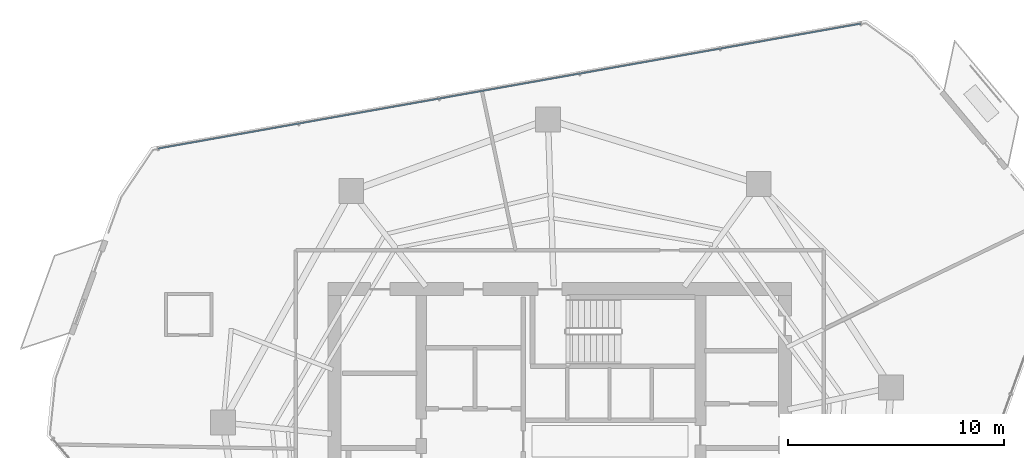
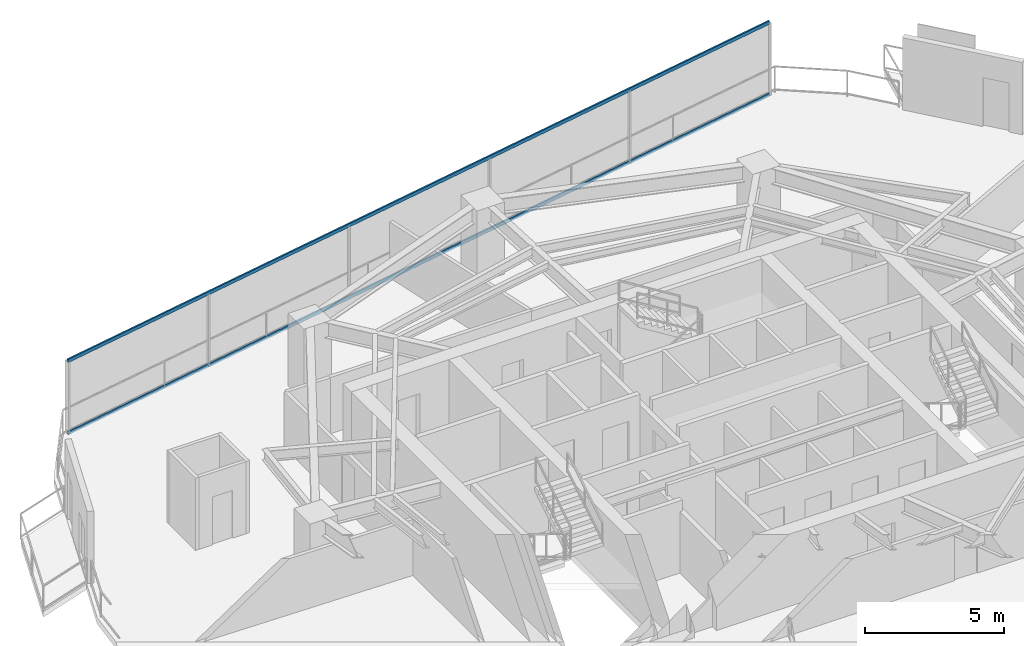
# One storey, part 19 of 27: 2 members, 1 element without a shape of its own.
"""IFC4 building model written with IfcOpenShell, lengths in metres."""

from ifc_helpers import new_model, si_unit, direction, frame, origin, origin_2d, place, context, subcontext, project, spatial, hollow_rectangle, extrude, material, layer, layer_set, material_profile, profile_set, type_object, element, aggregate, save


model = new_model("IFC4")

# Units and contexts
model_context = context("Model", 3, precision=1e-05, world=origin(), true_north=direction((0.0, 1.0)))
body_context = subcontext(model_context, "Body", "Model", "MODEL_VIEW")
ifc_project = project(units=[si_unit("LENGTHUNIT", "METRE"), si_unit("AREAUNIT", "SQUARE_METRE"), si_unit("VOLUMEUNIT", "CUBIC_METRE"), si_unit("PLANEANGLEUNIT", "RADIAN"), si_unit("MASSUNIT", "GRAM", prefix="KILO")], contexts=[model_context])

# Site, building, storey
site_placement = place(None, origin())
site = spatial("IfcSite", under=ifc_project, at=site_placement, CompositionType="ELEMENT")
building_placement = place(site_placement, origin())
building = spatial("IfcBuilding", under=site, at=building_placement, Name="Qarnah Convention Tower", CompositionType="ELEMENT")
storey_placement = place(building_placement, frame((0.0, 0.0, 103.949951171875)))
storey = spatial("IfcBuildingStorey", under=building, at=storey_placement, Name="L27", CompositionType="ELEMENT", Elevation=103.949951171875)

# Curtain wall, members
ifc_material_1 = material(Name="Tempered Low-E dark glass", Category="glass")
ifc_layer = layer(ifc_material_1, 0.169921875)
ifc_layer_set = layer_set([ifc_layer], Name="Tempered Low-E dark glass")
curtain_wall_type = type_object("IfcCurtainWallType", Name="CWS-02", PredefinedType="NOTDEFINED", material=ifc_layer_set)
curtain_wall_placement = place(storey_placement, origin())
curtain_wall = element("IfcCurtainWall", 1, at=curtain_wall_placement, inside=storey, type_object=curtain_wall_type, Name="L27 unitised curtain wall CW-L27-F3", PredefinedType="NOTDEFINED")
ifc_material_2 = material(Name="Black anodised aluminium", Category="aluminium")
ifc_material_profile = material_profile(ifc_material_2, hollow_rectangle(XDim=0.06494140625, YDim=0.14990234375, WallThickness=0.00390625, at=origin_2d()), Name="TRN-65X150")
ifc_profile_set = profile_set([ifc_material_profile], Name="Black anodised aluminium")
member_type = type_object("IfcMemberType", Name="TRN-T2", PredefinedType="USERDEFINED", material=ifc_profile_set)
member_1_placement = place(storey_placement, frame((18.635986328125, 40.697021484375, 0.0), z_axis=(0.984561657326, 0.175038118485, 0.0), x_axis=(-0.175038118485, 0.984561657326, 0.0)))
member_1 = element("IfcMember", 2, at=member_1_placement, type_object=member_type, Name="CW-L27-F3 transom 1", ObjectType="TRANSOM", PredefinedType="USERDEFINED", context=body_context, shape_type="SweptSolid", body=[
    extrude(hollow_rectangle(XDim=0.06494140625, YDim=0.14990234375, WallThickness=0.00390625, at=origin_2d()), origin(), (0.0, 0.0, 1.0), 32.981201171875),
])
member_2_placement = place(storey_placement, frame((18.635986328125, 40.697021484375, 3.170166015625), z_axis=(0.984561657326, 0.175038118485, 0.0), x_axis=(-0.175038118485, 0.984561657326, 0.0)))
member_2 = element("IfcMember", 3, at=member_2_placement, type_object=member_type, Name="CW-L27-F3 transom 2", ObjectType="TRANSOM", PredefinedType="USERDEFINED", context=body_context, shape_type="SweptSolid", body=[
    extrude(hollow_rectangle(XDim=0.06494140625, YDim=0.14990234375, WallThickness=0.00390625, at=origin_2d()), origin(), (0.0, 0.0, 1.0), 32.981201171875),
])
aggregate(curtain_wall, [member_1, member_2])

save(model, "model.ifc")
